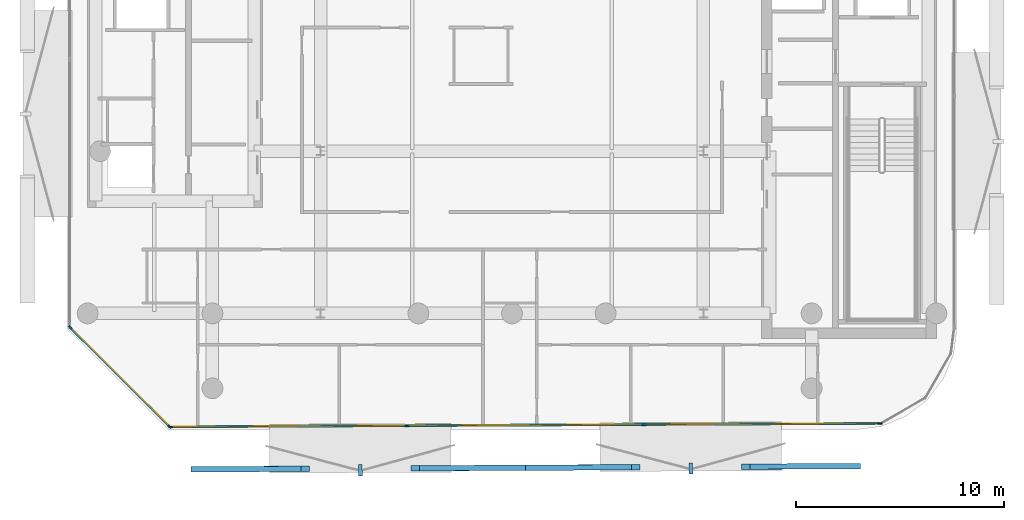
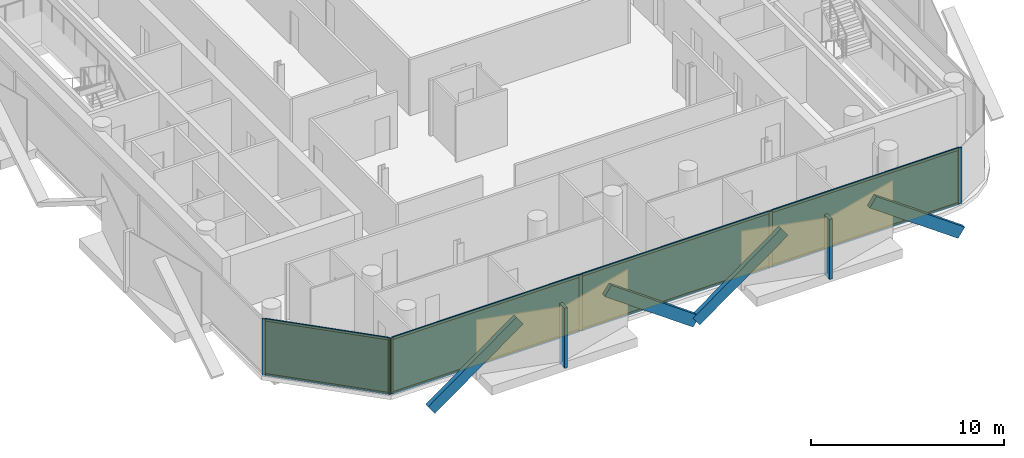
# One storey, part 9 of 16: 20 members, 4 plates, 2 curtain walls.
"""IFC4 building model written with IfcOpenShell, lengths in metres."""

from ifc_helpers import new_model, si_unit, direction, frame, frame_2d, origin, origin_2d, place, context, subcontext, project, spatial, rectangle, extrude, material, layer, layer_set, material_profile, profile_set, type_object, element, aggregate, save


model = new_model("IFC4")

# Units and contexts
model_context = context("Model", 3, precision=1e-05, world=origin(), true_north=direction((0.0, 1.0)))
body_context = subcontext(model_context, "Body", "Model", "MODEL_VIEW")
ifc_project = project(units=[si_unit("LENGTHUNIT", "METRE"), si_unit("AREAUNIT", "SQUARE_METRE"), si_unit("VOLUMEUNIT", "CUBIC_METRE"), si_unit("PLANEANGLEUNIT", "RADIAN"), si_unit("MASSUNIT", "GRAM", prefix="KILO")], contexts=[model_context])

# Member
ifc_material_1 = material(Name="Anodised Bronze Aluminium 6063-T6", Category="aluminium")
ifc_material_profile_1 = material_profile(ifc_material_1, rectangle(XDim=0.260009765625, YDim=0.699951171875, at=origin_2d()))
ifc_profile_set_1 = profile_set([ifc_material_profile_1], Name="Anodised Bronze Aluminium 6063-T6")
member_type_1 = type_object("IfcMemberType", Name="Bronze Diamond Solar-Screen Lattice Rib BDL-700", PredefinedType="MULLION", material=ifc_profile_set_1)
site_placement = place(None, origin())
building_placement = place(site_placement, origin())
storey_placement = place(building_placement, frame((0.0, 0.0, 277.60009765625)))
member_1_placement = place(storey_placement, frame((16.54150390625, -25.9423828125, -0.130126953125), z_axis=(-0.812460078438, -0.003857977414, 0.583004062555), x_axis=(-0.007495707728, 0.999964577249, -0.003828656915)))
member_1 = element("IfcMember", 1, at=member_1_placement, type_object=member_type_1, Name="L66 Bronze Diamond Solar Screen Lattice Rib 454A", PredefinedType="MULLION", context=body_context, shape_type="SweptSolid", body=[
    extrude(rectangle(XDim=0.260009765625, YDim=0.699951171875, at=origin_2d()), origin(), (0.0, 0.0, 1.0), 6.51806640625),
])

member_2_placement = place(storey_placement, frame((0.654541015625, -26.018310546875, -0.130126953125), z_axis=(0.812459960463, 0.003895432939, 0.583003977899), x_axis=(0.007541806709, -0.999964230628, -0.003828657201)))
member_2 = element("IfcMember", 2, at=member_2_placement, type_object=member_type_1, Name="L66 Bronze Diamond Solar Screen Lattice Rib 454B", PredefinedType="MULLION", context=body_context, shape_type="SweptSolid", body=[
    extrude(rectangle(XDim=0.260009765625, YDim=0.699951171875, at=origin_2d()), origin(), (0.0, 0.0, 1.0), 6.51806640625),
])

member_3_placement = place(storey_placement, frame((0.654541015625, -26.018310546875, -0.130126953125), z_axis=(-0.812459960463, -0.003895432939, 0.583003977899), x_axis=(-0.007541806709, 0.999964230628, -0.003828657201)))
member_3 = element("IfcMember", 3, at=member_3_placement, type_object=member_type_1, Name="L66 Bronze Diamond Solar Screen Lattice Rib 455A", PredefinedType="MULLION", context=body_context, shape_type="SweptSolid", body=[
    extrude(rectangle(XDim=0.260009765625, YDim=0.699951171875, at=origin_2d()), origin(), (0.0, 0.0, 1.0), 6.51806640625),
])

member_4_placement = place(storey_placement, frame((-15.232421875, -26.09423828125, -0.130126953125), z_axis=(0.812472691536, 0.003895314398, 0.582986236574), x_axis=(0.007541502087, -0.999964232696, -0.003828717191)))
member_4 = element("IfcMember", 4, at=member_4_placement, type_object=member_type_1, Name="L66 Bronze Diamond Solar Screen Lattice Rib 455B", PredefinedType="MULLION", context=body_context, shape_type="SweptSolid", body=[
    extrude(rectangle(XDim=0.260009765625, YDim=0.699951171875, at=origin_2d()), origin(), (0.0, 0.0, 1.0), 6.518310546875),
])

ifc_material_2 = material(Name="Anodised Bronze Aluminium 6063-T6", Category="aluminium")
ifc_material_profile_2 = material_profile(ifc_material_2, rectangle(XDim=0.179931640625, YDim=0.5400390625, at=origin_2d()))
ifc_profile_set_2 = profile_set([ifc_material_profile_2], Name="Anodised Bronze Aluminium 6063-T6")
member_type_2 = type_object("IfcMemberType", Name="Bronze Solar-Screen Vertical Fold Fin BSF-540", PredefinedType="MULLION", material=ifc_profile_set_2)
member_5_placement = place(storey_placement, frame((8.598388671875, -26.060302734375, -0.130126953125), z_axis=(0.0, 0.0, 1.0), x_axis=(-0.999988896716, -0.004712371539, 0.0)))
member_5 = element("IfcMember", 5, at=member_5_placement, type_object=member_type_2, Name="L66 Bronze Solar Screen Vertical Fin 454", PredefinedType="MULLION", context=body_context, shape_type="SweptSolid", body=[
    extrude(rectangle(XDim=0.179931640625, YDim=0.5400390625, at=origin_2d()), origin(), (0.0, 0.0, 1.0), 3.800048828125),
])

member_6_placement = place(storey_placement, frame((-7.288330078125, -26.13623046875, -0.130126953125), z_axis=(0.0, 0.0, 1.0), x_axis=(-0.999988896716, -0.004712371539, 0.0)))
member_6 = element("IfcMember", 6, at=member_6_placement, type_object=member_type_2, Name="L66 Bronze Solar Screen Vertical Fin 455", PredefinedType="MULLION", context=body_context, shape_type="SweptSolid", body=[
    extrude(rectangle(XDim=0.179931640625, YDim=0.5400390625, at=origin_2d()), origin(), (0.0, 0.0, 1.0), 3.800048828125),
])

ifc_material_3 = material(Name="Anodised Bronze Aluminium 6063-T6", Category="aluminium")
ifc_material_profile_3 = material_profile(ifc_material_3, rectangle(XDim=0.074951171875, YDim=0.2099609375, at=origin_2d()))
ifc_profile_set_3 = profile_set([ifc_material_profile_3], Name="Anodised Bronze Aluminium 6063-T6")
member_type_3 = type_object("IfcMemberType", Name="CW-CRN Mullion 75x210", PredefinedType="MULLION", material=ifc_profile_set_3)
member_7_placement = place(storey_placement, frame((17.694091796875, -23.896728515625, 0.0), z_axis=(0.0, 0.0, 1.0), x_axis=(0.004781400087, -0.999988569041, 0.0)))
member_7 = element("IfcMember", 7, at=member_7_placement, type_object=member_type_3, Name="CW-CRN mullion 1", PredefinedType="MULLION", context=body_context, shape_type="SweptSolid", body=[
    extrude(rectangle(XDim=0.074951171875, YDim=0.2099609375, at=origin_2d()), origin(), (0.0, 0.0, 1.0), 3.539794921875),
])

member_8_placement = place(storey_placement, frame((6.340576171875, -23.951171875, 0.0), z_axis=(0.0, 0.0, 1.0), x_axis=(0.004781400087, -0.999988569041, 0.0)))
member_8 = element("IfcMember", 8, at=member_8_placement, type_object=member_type_3, Name="CW-CRN mullion 2", PredefinedType="MULLION", context=body_context, shape_type="SweptSolid", body=[
    extrude(rectangle(XDim=0.074951171875, YDim=0.2099609375, at=origin_2d()), origin(), (0.0, 0.0, 1.0), 3.539794921875),
])

member_9_placement = place(storey_placement, frame((-5.05078125, -24.005615234375, 0.0), z_axis=(0.0, 0.0, 1.0), x_axis=(0.004781400087, -0.999988569041, 0.0)))
member_9 = element("IfcMember", 9, at=member_9_placement, type_object=member_type_3, Name="CW-CRN mullion 3", PredefinedType="MULLION", context=body_context, shape_type="SweptSolid", body=[
    extrude(rectangle(XDim=0.074951171875, YDim=0.2099609375, at=origin_2d()), origin(), (0.0, 0.0, 1.0), 3.539794921875),
])

member_10_placement = place(storey_placement, frame((-16.404541015625, -24.059814453125, 0.0), z_axis=(0.0, 0.0, 1.0), x_axis=(0.004781400087, -0.999988569041, 0.0)))
member_10 = element("IfcMember", 10, at=member_10_placement, type_object=member_type_3, Name="CW-CRN mullion 4", PredefinedType="MULLION", context=body_context, shape_type="SweptSolid", body=[
    extrude(rectangle(XDim=0.074951171875, YDim=0.2099609375, at=origin_2d()), origin(), (0.0, 0.0, 1.0), 3.539794921875),
])

ifc_material_4 = material(Name="Anodised Bronze Aluminium 6063-T6", Category="aluminium")
ifc_material_profile_4 = material_profile(ifc_material_4, rectangle(XDim=0.074951171875, YDim=0.1650390625, at=origin_2d()))
ifc_profile_set_4 = profile_set([ifc_material_profile_4], Name="Anodised Bronze Aluminium 6063-T6")
member_type_4 = type_object("IfcMemberType", Name="CW-CRN Transom 75x165", PredefinedType="USERDEFINED", material=ifc_profile_set_4)
member_11_placement = place(storey_placement, frame((17.65673828125, -23.89697265625, 0.037353515625), z_axis=(-0.999988558031, -0.004783702137, 0.0), x_axis=(0.004783702137, -0.999988558031, 0.0)))
member_11 = element("IfcMember", 11, at=member_11_placement, type_object=member_type_4, Name="CW-CRN transom 1.1", ObjectType="TRANSOM", PredefinedType="USERDEFINED", context=body_context, shape_type="SweptSolid", body=[
    extrude(rectangle(XDim=0.074951171875, YDim=0.1650390625, at=origin_2d()), origin(), (0.0, 0.0, 1.0), 11.279052734375),
])

member_12_placement = place(storey_placement, frame((17.65673828125, -23.89697265625, 3.50244140625), z_axis=(-0.999988558031, -0.004783702137, 0.0), x_axis=(0.004783702137, -0.999988558031, 0.0)))
member_12 = element("IfcMember", 12, at=member_12_placement, type_object=member_type_4, Name="CW-CRN transom 1.2", ObjectType="TRANSOM", PredefinedType="USERDEFINED", context=body_context, shape_type="SweptSolid", body=[
    extrude(rectangle(XDim=0.074951171875, YDim=0.1650390625, at=origin_2d()), origin(), (0.0, 0.0, 1.0), 11.279052734375),
])

member_13_placement = place(storey_placement, frame((6.302978515625, -23.951171875, 0.037353515625), z_axis=(-0.999988530347, -0.004789485744, 0.0), x_axis=(0.004789485744, -0.999988530347, 0.0)))
member_13 = element("IfcMember", 13, at=member_13_placement, type_object=member_type_4, Name="CW-CRN transom 2.1", ObjectType="TRANSOM", PredefinedType="USERDEFINED", context=body_context, shape_type="SweptSolid", body=[
    extrude(rectangle(XDim=0.074951171875, YDim=0.1650390625, at=origin_2d()), origin(), (0.0, 0.0, 1.0), 11.31640625),
])

member_14_placement = place(storey_placement, frame((6.302978515625, -23.951171875, 3.50244140625), z_axis=(-0.999988530347, -0.004789485744, 0.0), x_axis=(0.004789485744, -0.999988530347, 0.0)))
member_14 = element("IfcMember", 14, at=member_14_placement, type_object=member_type_4, Name="CW-CRN transom 2.2", ObjectType="TRANSOM", PredefinedType="USERDEFINED", context=body_context, shape_type="SweptSolid", body=[
    extrude(rectangle(XDim=0.074951171875, YDim=0.1650390625, at=origin_2d()), origin(), (0.0, 0.0, 1.0), 11.31640625),
])

member_15_placement = place(storey_placement, frame((-5.08837890625, -24.005615234375, 0.037353515625), z_axis=(-0.999988557536, -0.004783805685, 0.0), x_axis=(0.004783805685, -0.999988557536, 0.0)))
member_15 = element("IfcMember", 15, at=member_15_placement, type_object=member_type_4, Name="CW-CRN transom 3.1", ObjectType="TRANSOM", PredefinedType="USERDEFINED", context=body_context, shape_type="SweptSolid", body=[
    extrude(rectangle(XDim=0.074951171875, YDim=0.1650390625, at=origin_2d()), origin(), (0.0, 0.0, 1.0), 11.27880859375),
])

member_16_placement = place(storey_placement, frame((-5.08837890625, -24.005615234375, 3.50244140625), z_axis=(-0.999988557536, -0.004783805685, 0.0), x_axis=(0.004783805685, -0.999988557536, 0.0)))
member_16 = element("IfcMember", 16, at=member_16_placement, type_object=member_type_4, Name="CW-CRN transom 3.2", ObjectType="TRANSOM", PredefinedType="USERDEFINED", context=body_context, shape_type="SweptSolid", body=[
    extrude(rectangle(XDim=0.074951171875, YDim=0.1650390625, at=origin_2d()), origin(), (0.0, 0.0, 1.0), 11.27880859375),
])

ifc_material_5 = material(Name="Anodised Bronze Aluminium 6063-T6", Category="aluminium")
ifc_material_profile_5 = material_profile(ifc_material_5, rectangle(XDim=0.070068359375, YDim=0.18994140625, at=origin_2d()))
ifc_profile_set_5 = profile_set([ifc_material_profile_5], Name="Anodised Bronze Aluminium 6063-T6")
member_type_5 = type_object("IfcMemberType", Name="CW-SLC Mullion 70x190", PredefinedType="MULLION", material=ifc_profile_set_5)
member_17_placement = place(storey_placement, frame((-16.466796875, -24.03515625, 0.0), z_axis=(0.0, 0.0, 1.0), x_axis=(-0.707106781187, -0.707106781187, 0.0)))
member_17 = element("IfcMember", 17, at=member_17_placement, type_object=member_type_5, Name="CW-SLC mullion 1", PredefinedType="MULLION", context=body_context, shape_type="SweptSolid", body=[
    extrude(rectangle(XDim=0.070068359375, YDim=0.18994140625, at=origin_2d()), origin(), (0.0, 0.0, 1.0), 3.539794921875),
])

member_18_placement = place(storey_placement, frame((-21.2353515625, -19.266845703125, 0.0), z_axis=(0.0, 0.0, 1.0), x_axis=(-0.707106781187, -0.707106781187, 0.0)))
member_18 = element("IfcMember", 18, at=member_18_placement, type_object=member_type_5, Name="CW-SLC mullion 2", PredefinedType="MULLION", context=body_context, shape_type="SweptSolid", body=[
    extrude(rectangle(XDim=0.070068359375, YDim=0.18994140625, at=origin_2d()), origin(), (0.0, 0.0, 1.0), 3.539794921875),
])

ifc_material_6 = material(Name="Anodised Bronze Aluminium 6063-T6", Category="aluminium")
ifc_material_profile_6 = material_profile(ifc_material_6, rectangle(XDim=0.070068359375, YDim=0.14990234375, at=origin_2d()))
ifc_profile_set_6 = profile_set([ifc_material_profile_6], Name="Anodised Bronze Aluminium 6063-T6")
member_type_6 = type_object("IfcMemberType", Name="CW-SLC Transom 70x150", PredefinedType="USERDEFINED", material=ifc_profile_set_6)
member_19_placement = place(storey_placement, frame((-16.491455078125, -24.010498046875, 0.034912109375), z_axis=(-0.707106781187, 0.707106781187, 0.0), x_axis=(-0.707106781187, -0.707106781187, 0.0)))
member_19 = element("IfcMember", 19, at=member_19_placement, type_object=member_type_6, Name="CW-SLC transom 1.1", ObjectType="TRANSOM", PredefinedType="USERDEFINED", context=body_context, shape_type="SweptSolid", body=[
    extrude(rectangle(XDim=0.070068359375, YDim=0.14990234375, at=origin_2d()), origin(), (0.0, 0.0, 1.0), 6.673583984375),
])

member_20_placement = place(storey_placement, frame((-16.491455078125, -24.010498046875, 3.5048828125), z_axis=(-0.707106781187, 0.707106781187, 0.0), x_axis=(-0.707106781187, -0.707106781187, 0.0)))
member_20 = element("IfcMember", 20, at=member_20_placement, type_object=member_type_6, Name="CW-SLC transom 1.2", ObjectType="TRANSOM", PredefinedType="USERDEFINED", context=body_context, shape_type="SweptSolid", body=[
    extrude(rectangle(XDim=0.070068359375, YDim=0.14990234375, at=origin_2d()), origin(), (0.0, 0.0, 1.0), 6.673583984375),
])

# Plate
ifc_material_7 = material(Name="Low-E Solar Control Laminated Glass", Category="glass")
ifc_layer_1 = layer(ifc_material_7, 0.035888671875, Name="Low-E Solar Control Laminated Glass")
ifc_layer_set_1 = layer_set([ifc_layer_1], Name="Low-E Solar Control Laminated Glass")
plate_type_1 = type_object("IfcPlateType", Name="CW-CRN Low-E Double Glazed Panel 36mm", PredefinedType="CURTAIN_PANEL", material=ifc_layer_set_1)
plate_1_placement = place(storey_placement, frame((12.017333984375, -23.923828125, 0.0751953125), z_axis=(0.0, 0.0, 1.0), x_axis=(-0.999988569041, -0.004781400087, 0.0)))
plate_1 = element("IfcPlate", 21, at=plate_1_placement, type_object=plate_type_1, Name="CW-CRN panel 1.1", PredefinedType="CURTAIN_PANEL", context=body_context, shape_type="SweptSolid", body=[
    extrude(rectangle(XDim=11.27880859375, YDim=0.035888671875, at=origin_2d()), origin(), (0.0, 0.0, 1.0), 3.389892578125),
])

plate_2_placement = place(storey_placement, frame((0.644775390625, -23.978271484375, 0.0751953125), z_axis=(0.0, 0.0, 1.0), x_axis=(-0.999988569041, -0.004781400087, 0.0)))
plate_2 = element("IfcPlate", 22, at=plate_2_placement, type_object=plate_type_1, Name="CW-CRN panel 2.1", PredefinedType="CURTAIN_PANEL", context=body_context, shape_type="SweptSolid", body=[
    extrude(rectangle(XDim=11.31640625, YDim=0.035888671875, at=origin_2d()), origin(), (0.0, 0.0, 1.0), 3.389892578125),
])

plate_3_placement = place(storey_placement, frame((-10.7275390625, -24.03271484375, 0.0751953125), z_axis=(0.0, 0.0, 1.0), x_axis=(-0.999988569041, -0.004781400087, 0.0)))
plate_3 = element("IfcPlate", 23, at=plate_3_placement, type_object=plate_type_1, Name="CW-CRN panel 3.1", PredefinedType="CURTAIN_PANEL", context=body_context, shape_type="SweptSolid", body=[
    extrude(rectangle(XDim=11.27880859375, YDim=0.035888671875, at=origin_2d()), origin(), (0.0, 0.0, 1.0), 3.389892578125),
])

ifc_material_8 = material(Name="Low-E Solar Control Laminated Glass", Category="glass")
ifc_layer_2 = layer(ifc_material_8, 0.033935546875, Name="Low-E Solar Control Laminated Glass")
ifc_layer_set_2 = layer_set([ifc_layer_2], Name="Low-E Solar Control Laminated Glass")
plate_type_2 = type_object("IfcPlateType", Name="CW-SLC Low-E Double Glazed Panel 34mm", PredefinedType="CURTAIN_PANEL", material=ifc_layer_set_2)
plate_4_placement = place(storey_placement, frame((-18.85107421875, -21.65087890625, 0.070068359375), z_axis=(0.0, 0.0, 1.0), x_axis=(-0.707106781187, 0.707106781187, 0.0)))
plate_4 = element("IfcPlate", 24, at=plate_4_placement, type_object=plate_type_2, Name="CW-SLC panel 1.1", PredefinedType="CURTAIN_PANEL", context=body_context, shape_type="SweptSolid", body=[
    extrude(rectangle(XDim=6.673583984375, YDim=0.033935546875, at=origin_2d()), origin(), (0.0, 0.0, 1.0), 3.39990234375),
])

# Site, building, storey
site = spatial("IfcSite", under=ifc_project, at=site_placement, CompositionType="ELEMENT")
building = spatial("IfcBuilding", under=site, at=building_placement, Name="Khairoan Windgate Tower", CompositionType="ELEMENT")
storey = spatial("IfcBuildingStorey", under=building, at=storey_placement, Name="L66", CompositionType="ELEMENT", Elevation=277.60009765625)

# Curtain wall
ifc_material_9 = material(Name="Anodised Bronze Aluminium 6063-T6", Category="aluminium")
ifc_layer_3 = layer(ifc_material_9, 0.2099609375, Name="Anodised Bronze Aluminium 6063-T6")
ifc_layer_set_3 = layer_set([ifc_layer_3], Name="Anodised Bronze Aluminium 6063-T6")
curtain_wall_type_1 = type_object("IfcCurtainWallType", Name="Crown Observation and Vitrine Curtain Wall CW-CRN", PredefinedType="NOTDEFINED", material=ifc_layer_set_3)
curtain_wall_1_placement = place(storey_placement, frame((17.731689453125, -23.896484375, 0.0), z_axis=(0.0, 0.0, 1.0), x_axis=(-0.999988544575, -0.004786514198, 0.0)))
curtain_wall_1 = element("IfcCurtainWall", 25, at=curtain_wall_1_placement, inside=storey, type_object=curtain_wall_type_1, Name="L66 Unitised Curtain Wall 1", PredefinedType="NOTDEFINED", context=body_context, shape_type="SweptSolid", body=[
    extrude(rectangle(XDim=34.174072265625, YDim=0.010009765625, at=frame_2d((17.0869140625, 0.0))), origin(), (0.0, 0.0, 1.0), 3.539794921875),
])

aggregate(curtain_wall_1, [member_7, member_8, member_9, member_10, member_11, member_12, plate_1, member_13, member_14, plate_2, member_15, member_16, plate_3, member_1, member_2, member_5, member_3, member_4, member_6])

ifc_material_10 = material(Name="Anodised Bronze Aluminium 6063-T6", Category="aluminium")
ifc_layer_4 = layer(ifc_material_10, 0.18994140625, Name="Anodised Bronze Aluminium 6063-T6")
ifc_layer_set_4 = layer_set([ifc_layer_4], Name="Anodised Bronze Aluminium 6063-T6")
curtain_wall_type_2 = type_object("IfcCurtainWallType", Name="Diagonal Corner-Slice Facet Curtain Wall CW-SLC", PredefinedType="NOTDEFINED", material=ifc_layer_set_4)
curtain_wall_2_placement = place(storey_placement, frame((-16.44189453125, -24.06005859375, 0.0), z_axis=(0.0, 0.0, 1.0), x_axis=(-0.707106781187, 0.707106781187, 0.0)))
curtain_wall_2 = element("IfcCurtainWall", 26, at=curtain_wall_2_placement, inside=storey, type_object=curtain_wall_type_2, Name="L66 Crystal Slice Curtain Wall 2", PredefinedType="NOTDEFINED", context=body_context, shape_type="SweptSolid", body=[
    extrude(rectangle(XDim=6.81396484375, YDim=0.010009765625, at=frame_2d((3.406982421875, 0.0))), origin(), (0.0, 0.0, 1.0), 3.539794921875),
])

aggregate(curtain_wall_2, [member_17, member_18, member_19, member_20, plate_4])

save(model, "model.ifc")
